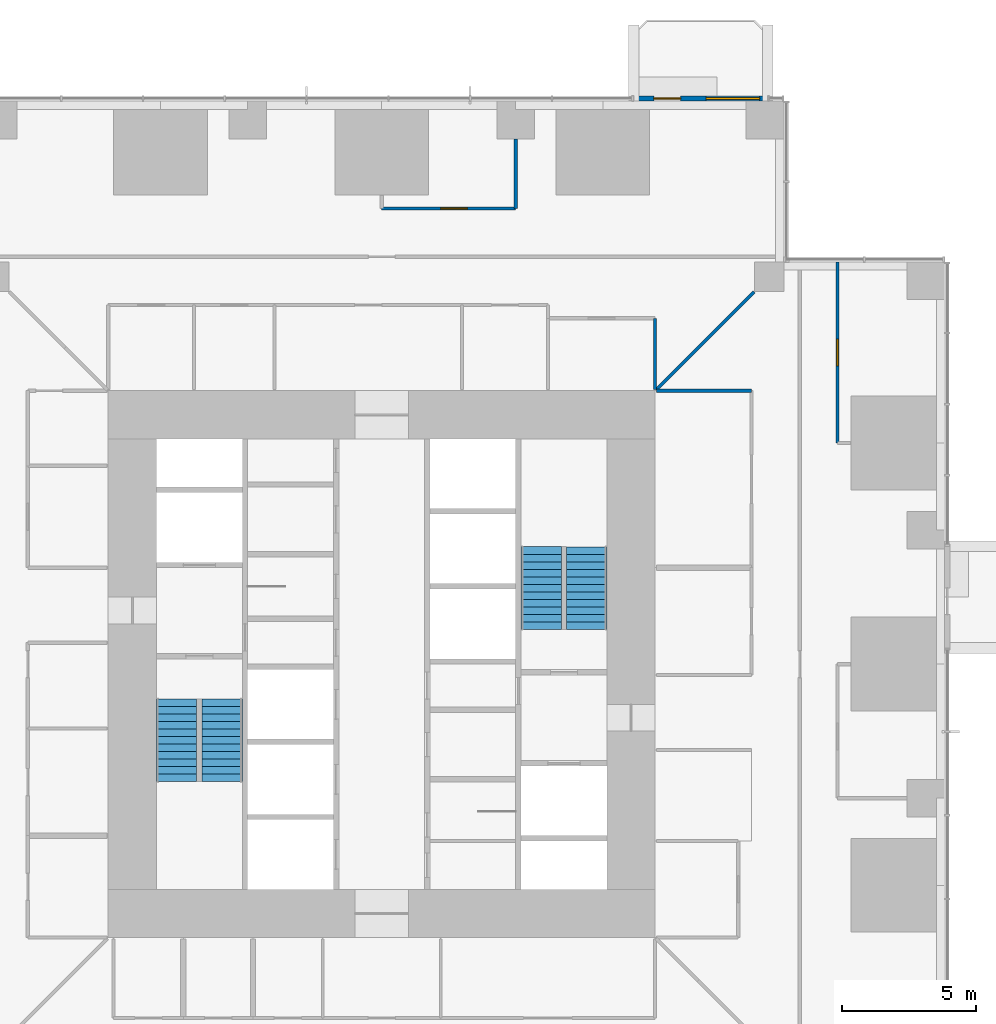
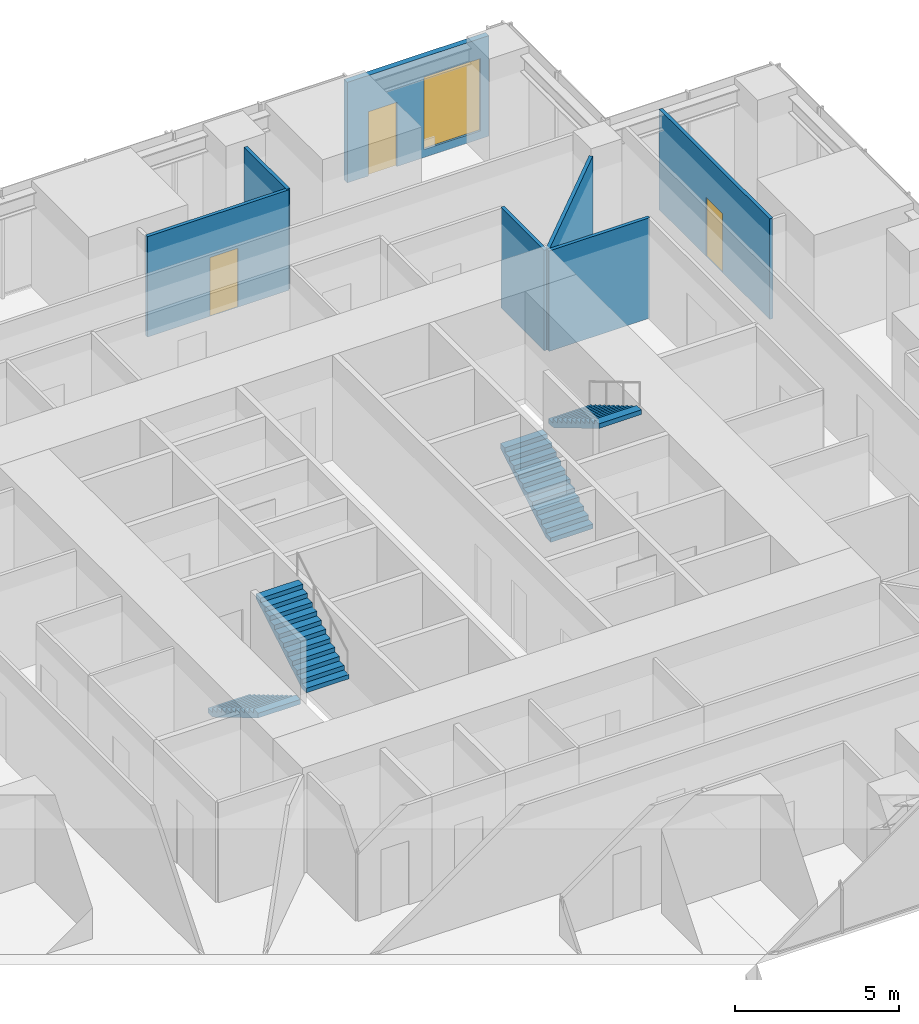
# One storey, part 14 of 17: 7 walls, 4 stair flights, 3 doors, 1 window, 4 openings, 2 elements without a shape of their own.
"""IFC4 building model written with IfcOpenShell, lengths in metres."""

from ifc_helpers import new_model, si_unit, direction, frame, frame_2d, origin, place, context, subcontext, project, spatial, polyline, rectangle, outline, extrude, material, layer, layer_set, type_object, element, fill, aggregate, save


model = new_model("IFC4")

# Units and contexts
model_context = context("Model", 3, precision=1e-05, world=origin(), true_north=direction((0.0, 1.0)))
body_context = subcontext(model_context, "Body", "Model", "MODEL_VIEW")
ifc_project = project(units=[si_unit("LENGTHUNIT", "METRE"), si_unit("AREAUNIT", "SQUARE_METRE"), si_unit("VOLUMEUNIT", "CUBIC_METRE"), si_unit("PLANEANGLEUNIT", "RADIAN"), si_unit("MASSUNIT", "GRAM", prefix="KILO")], contexts=[model_context])

# Site, building, storey
site_placement = place(None, origin())
site = spatial("IfcSite", under=ifc_project, at=site_placement, CompositionType="ELEMENT")
building_placement = place(site_placement, origin())
building = spatial("IfcBuilding", under=site, at=building_placement, Name="Svetlomir Tower", CompositionType="ELEMENT")
storey_placement = place(building_placement, frame((0.0, 0.0, 62.5)))
storey = spatial("IfcBuildingStorey", under=building, at=storey_placement, Name="L14", CompositionType="ELEMENT", Elevation=62.5)

# Wall, openings, door, window
ifc_material_1 = material(Name="Bronze anodised aluminium glazed screen", Category="aluminium")
ifc_layer_1 = layer(ifc_material_1, 0.199951171875)
ifc_layer_set_1 = layer_set([ifc_layer_1], Name="Bronze anodised aluminium glazed screen")
wall_type_1 = type_object("IfcWallType", Name="BALCONY SCREEN WALL 200", PredefinedType="USERDEFINED", material=ifc_layer_set_1)
wall_1_placement = place(storey_placement, frame((35.39990234375, 42.10009765625, 0.0), z_axis=(0.0, 0.0, 1.0), x_axis=(-1.0, 0.0, 0.0)))
wall_1 = element("IfcWall", 1, at=wall_1_placement, inside=storey, type_object=wall_type_1, Name="Balcony screen N", ObjectType="GLAZED SCREEN", PredefinedType="USERDEFINED", context=body_context, shape_type="SweptSolid", body=[
    extrude(rectangle(XDim=5.0, YDim=0.199951171875, at=frame_2d((2.5, 0.0))), origin(), (0.0, 0.0, 1.0), 3.75),
])
opening_1_placement = place(wall_1_placement, frame((3.25, 0.0, 0.0)))
opening_1 = element("IfcOpeningElement", 2, at=opening_1_placement, cuts=wall_1, Name="Opening BD", PredefinedType="OPENING", context=body_context, shape_type="SweptSolid", body=[
    extrude(rectangle(XDim=1.0, YDim=2.39990234375, at=frame_2d((0.5, 1.199951171875))), frame((0.0, 0.10986328125, 0.0), z_axis=(0.0, -1.0, 0.0), x_axis=(1.0, 0.0, 0.0)), (0.0, 0.0, 1.0), 0.219970703125),
])
opening_2_placement = place(wall_1_placement, frame((0.300048828125, 0.0, 0.300048828125)))
opening_2 = element("IfcOpeningElement", 3, at=opening_2_placement, cuts=wall_1, Name="Opening WS", PredefinedType="OPENING", context=body_context, shape_type="SweptSolid", body=[
    extrude(rectangle(XDim=2.0, YDim=2.699951171875, at=frame_2d((1.0, 1.35009765625))), frame((0.0, 0.10986328125, 0.0), z_axis=(0.0, -1.0, 0.0), x_axis=(1.0, 0.0, 0.0)), (0.0, 0.0, 1.0), 0.219970703125),
])
ifc_material_2 = material(Name="Bronze anodised aluminium glazed door", Category="aluminium")
door_type_1 = type_object("IfcDoorType", Name="BALCONY DOOR BD 1000x2400", OperationType="SINGLE_SWING_LEFT", PredefinedType="DOOR", material=ifc_material_2)
door_1_placement = place(opening_1_placement, origin())
door_1 = element("IfcDoor", 4, at=door_1_placement, inside=storey, type_object=door_type_1, Name="Balcony screen N door", OperationType="SINGLE_SWING_LEFT", OverallHeight=2.39990234375, OverallWidth=1.0, PredefinedType="DOOR", context=body_context, shape_type="SweptSolid", body=[
    extrude(rectangle(XDim=1.0, YDim=2.39990234375, at=frame_2d((0.5, 1.199951171875))), frame((0.0, 0.02490234375, 0.0), z_axis=(0.0, -1.0, 0.0), x_axis=(1.0, 0.0, 0.0)), (0.0, 0.0, 1.0), 0.050048828125),
])
fill(opening_1, door_1)
ifc_material_3 = material(Name="Bronze anodised aluminium window", Category="aluminium")
window_type = type_object("IfcWindowType", Name="SCREEN WINDOW WS 2000x2700", PartitioningType="SINGLE_PANEL", PredefinedType="WINDOW", material=ifc_material_3)
window_placement = place(opening_2_placement, origin())
window = element("IfcWindow", 5, at=window_placement, inside=storey, type_object=window_type, Name="Balcony screen N window 1", OverallHeight=2.699951171875, OverallWidth=2.0, PartitioningType="SINGLE_PANEL", PredefinedType="WINDOW", context=body_context, shape_type="SweptSolid", body=[
    extrude(rectangle(XDim=2.0, YDim=2.699951171875, at=frame_2d((1.0, 1.35009765625))), frame((0.0, 0.030029296875, 0.0), z_axis=(0.0, -1.0, 0.0), x_axis=(1.0, 0.0, 0.0)), (0.0, 0.0, 1.0), 0.06005859375),
])
fill(opening_2, window)

# Wall, opening, door
ifc_material_4 = material(Name="Gypsum board on steel studs", Category="steel")
ifc_layer_2 = layer(ifc_material_4, 0.1201171875)
ifc_layer_set_2 = layer_set([ifc_layer_2], Name="Gypsum board on steel studs")
wall_type_2 = type_object("IfcWallType", Name="PARTITION 120", PredefinedType="PARTITIONING", material=ifc_layer_set_2)
wall_2_placement = place(storey_placement, frame((21.0, 38.0, 0.0), z_axis=(0.0, 0.0, 1.0), x_axis=(1.0, 0.0, 0.0)))
wall_2 = element("IfcWall", 6, at=wall_2_placement, inside=storey, type_object=wall_type_2, Name="Partition L14", PredefinedType="PARTITIONING", context=body_context, shape_type="SweptSolid", body=[
    extrude(rectangle(XDim=5.0, YDim=0.1201171875, at=frame_2d((2.5, 0.0))), origin(), (0.0, 0.0, 1.0), 3.75),
])
opening_3_placement = place(wall_2_placement, frame((2.199951171875, 0.0, 0.0)))
opening_3 = element("IfcOpeningElement", 7, at=opening_3_placement, cuts=wall_2, Name="Opening DR", PredefinedType="OPENING", context=body_context, shape_type="SweptSolid", body=[
    extrude(rectangle(XDim=1.0, YDim=2.199951171875, at=frame_2d((0.5, 1.10009765625))), frame((0.0, 0.070068359375, 0.0), z_axis=(0.0, -1.0, 0.0), x_axis=(1.0, 0.0, 0.0)), (0.0, 0.0, 1.0), 0.14013671875),
])
ifc_material_5 = material(Name="Timber door, glazed side light", Category="wood")
door_type_2 = type_object("IfcDoorType", Name="DOOR DR 1000x2200", OperationType="SINGLE_SWING_LEFT", PredefinedType="DOOR", material=ifc_material_5)
door_2_placement = place(opening_3_placement, origin())
door_2 = element("IfcDoor", 8, at=door_2_placement, inside=storey, type_object=door_type_2, Name="Learning partner office door L14", OperationType="SINGLE_SWING_LEFT", OverallHeight=2.199951171875, OverallWidth=1.0, PredefinedType="DOOR", context=body_context, shape_type="SweptSolid", body=[
    extrude(rectangle(XDim=1.0, YDim=2.199951171875, at=frame_2d((0.5, 1.10009765625))), frame((0.0, 0.02490234375, 0.0), z_axis=(0.0, -1.0, 0.0), x_axis=(1.0, 0.0, 0.0)), (0.0, 0.0, 1.0), 0.050048828125),
])
fill(opening_3, door_2)

# Walls
wall_3_placement = place(storey_placement, frame((26.0, 38.0, 0.0), z_axis=(0.0, 0.0, 1.0), x_axis=(0.0, 1.0, 0.0)))
element("IfcWall", 9, at=wall_3_placement, inside=storey, type_object=wall_type_2, Name="Partition L14", PredefinedType="PARTITIONING", context=body_context, shape_type="SweptSolid", body=[
    extrude(rectangle(XDim=2.590087890625, YDim=0.1201171875, at=frame_2d((1.294921875, 0.0))), origin(), (0.0, 0.0, 1.0), 3.75),
])
wall_4_placement = place(storey_placement, frame((31.199951171875, 31.25, 0.0), z_axis=(0.0, 0.0, 1.0), x_axis=(0.0, 1.0, 0.0)))
element("IfcWall", 10, at=wall_4_placement, inside=storey, type_object=wall_type_2, Name="Partition L14", PredefinedType="PARTITIONING", context=body_context, shape_type="SweptSolid", body=[
    extrude(rectangle(XDim=2.64990234375, YDim=0.1201171875, at=frame_2d((1.324951171875, 0.0))), origin(), (0.0, 0.0, 1.0), 3.75),
])
wall_5_placement = place(storey_placement, frame((31.2353515625, 31.2353515625, 0.0), z_axis=(0.0, 0.0, 1.0), x_axis=(0.707106781187, 0.707106781187, 0.0)))
element("IfcWall", 11, at=wall_5_placement, inside=storey, type_object=wall_type_2, Name="Partition L14", PredefinedType="PARTITIONING", context=body_context, shape_type="SweptSolid", body=[
    extrude(rectangle(XDim=5.168212890625, YDim=0.1201171875, at=frame_2d((2.583984375, 0.0))), origin(), (0.0, 0.0, 1.0), 3.75),
])
wall_6_placement = place(storey_placement, frame((31.25, 31.199951171875, 0.0), z_axis=(0.0, 0.0, 1.0), x_axis=(1.0, 0.0, 0.0)))
element("IfcWall", 12, at=wall_6_placement, inside=storey, type_object=wall_type_2, Name="Partition L14", PredefinedType="PARTITIONING", context=body_context, shape_type="SweptSolid", body=[
    extrude(rectangle(XDim=3.550048828125, YDim=0.1201171875, at=frame_2d((1.77490234375, 0.0))), origin(), (0.0, 0.0, 1.0), 3.75),
])

# Wall, opening, door
wall_7_placement = place(storey_placement, frame((38.0, 29.25, 0.0), z_axis=(0.0, 0.0, 1.0), x_axis=(0.0, 1.0, 0.0)))
wall_7 = element("IfcWall", 13, at=wall_7_placement, inside=storey, type_object=wall_type_2, Name="Partition L14", PredefinedType="PARTITIONING", context=body_context, shape_type="SweptSolid", body=[
    extrude(rectangle(XDim=6.75, YDim=0.1201171875, at=frame_2d((3.375, 0.0))), origin(), (0.0, 0.0, 1.0), 3.75),
])
opening_4_placement = place(wall_7_placement, frame((2.875, 0.0, 0.0)))
opening_4 = element("IfcOpeningElement", 14, at=opening_4_placement, cuts=wall_7, Name="Opening DR", PredefinedType="OPENING", context=body_context, shape_type="SweptSolid", body=[
    extrude(rectangle(XDim=1.0, YDim=2.199951171875, at=frame_2d((0.5, 1.10009765625))), frame((0.0, 0.070068359375, 0.0), z_axis=(0.0, -1.0, 0.0), x_axis=(1.0, 0.0, 0.0)), (0.0, 0.0, 1.0), 0.14013671875),
])
door_3_placement = place(opening_4_placement, origin())
door_3 = element("IfcDoor", 15, at=door_3_placement, inside=storey, type_object=door_type_2, Name="HR director office door L14", OperationType="SINGLE_SWING_LEFT", OverallHeight=2.199951171875, OverallWidth=1.0, PredefinedType="DOOR", context=body_context, shape_type="SweptSolid", body=[
    extrude(rectangle(XDim=1.0, YDim=2.199951171875, at=frame_2d((0.5, 1.10009765625))), frame((0.0, 0.02490234375, 0.0), z_axis=(0.0, -1.0, 0.0), x_axis=(1.0, 0.0, 0.0)), (0.0, 0.0, 1.0), 0.050048828125),
])
fill(opening_4, door_3)

# Stair, stair flights
ifc_material_6 = material(Name="Concrete C60/75", Category="concrete")
stair_type = type_object("IfcStairType", Name="EXIT STAIR 3200 RISE 4000", PredefinedType="HALF_TURN_STAIR", material=ifc_material_6)
stair_1_placement = place(storey_placement, origin())
stair_1 = element("IfcStair", 16, at=stair_1_placement, inside=storey, type_object=stair_type, Name="Stair S1 L14 to L15", PredefinedType="HALF_TURN_STAIR")
ifc_material_7 = material(Name="Concrete C60/75", Category="concrete")
stair_flight_type = type_object("IfcStairFlightType", Name="STAIR FLIGHT 1500 OF 12 RISERS", PredefinedType="STRAIGHT", material=ifc_material_7)
stair_flight_1_placement = place(storey_placement, frame((13.35009765625, 19.699951171875, 0.0), z_axis=(0.0, 0.0, 1.0), x_axis=(0.0, -1.0, 0.0)))
stair_flight_1 = element("IfcStairFlight", 17, at=stair_flight_1_placement, type_object=stair_flight_type, Name="S1 flight 1", NumberOfRisers=12, NumberOfTreads=11, PredefinedType="STRAIGHT", RiserHeight=0.166666667, TreadLength=0.28, context=body_context, shape_type="SweptSolid", body=[
    extrude(outline(polyline([(0.0, 0.0), (0.0, 0.166748046875), (0.280029296875, 0.166748046875), (0.280029296875, 0.333251953125), (0.56005859375, 0.333251953125), (0.56005859375, 0.5), (0.840087890625, 0.5), (0.840087890625, 0.666748046875), (1.1201171875, 0.666748046875), (1.1201171875, 0.833251953125), (1.39990234375, 0.833251953125), (1.39990234375, 1.0), (1.679931640625, 1.0), (1.679931640625, 1.166748046875), (1.9599609375, 1.166748046875), (1.9599609375, 1.333251953125), (2.239990234375, 1.333251953125), (2.239990234375, 1.5), (2.52001953125, 1.5), (2.52001953125, 1.666748046875), (2.800048828125, 1.666748046875), (2.800048828125, 1.833251953125), (3.080078125, 1.833251953125), (3.080078125, 2.0), (3.080078125, 1.658935546875), (0.29296875, 0.0), (0.0, 0.0)])), frame((0.0, 0.75, 0.0), z_axis=(0.0, -1.0, 0.0), x_axis=(1.0, 0.0, 0.0)), (0.0, 0.0, 1.0), 1.5),
])
stair_flight_2_placement = place(storey_placement, frame((15.050048828125, 16.6201171875, 2.0), z_axis=(0.0, 0.0, 1.0), x_axis=(0.0, 1.0, 0.0)))
stair_flight_2 = element("IfcStairFlight", 18, at=stair_flight_2_placement, type_object=stair_flight_type, Name="S1 flight 2", NumberOfRisers=12, NumberOfTreads=11, PredefinedType="STRAIGHT", RiserHeight=0.166666667, TreadLength=0.28, context=body_context, shape_type="SweptSolid", body=[
    extrude(outline(polyline([(0.0, 0.0), (0.0, 0.166748046875), (0.280029296875, 0.166748046875), (0.280029296875, 0.333251953125), (0.56005859375, 0.333251953125), (0.56005859375, 0.5), (0.840087890625, 0.5), (0.840087890625, 0.666748046875), (1.1201171875, 0.666748046875), (1.1201171875, 0.833251953125), (1.39990234375, 0.833251953125), (1.39990234375, 1.0), (1.679931640625, 1.0), (1.679931640625, 1.166748046875), (1.9599609375, 1.166748046875), (1.9599609375, 1.333251953125), (2.239990234375, 1.333251953125), (2.239990234375, 1.5), (2.52001953125, 1.5), (2.52001953125, 1.666748046875), (2.800048828125, 1.666748046875), (2.800048828125, 1.833251953125), (3.080078125, 1.833251953125), (3.080078125, 2.0), (3.080078125, 1.658935546875), (0.29296875, 0.0), (0.0, 0.0)])), frame((0.0, 0.75, 0.0), z_axis=(0.0, -1.0, 0.0), x_axis=(1.0, 0.0, 0.0)), (0.0, 0.0, 1.0), 1.5),
])
aggregate(stair_1, [stair_flight_1, stair_flight_2])

stair_2_placement = place(storey_placement, origin())
stair_2 = element("IfcStair", 19, at=stair_2_placement, inside=storey, type_object=stair_type, Name="Stair S2 L14 to L15", PredefinedType="HALF_TURN_STAIR")
stair_flight_3_placement = place(storey_placement, frame((26.949951171875, 22.300048828125, 0.0), z_axis=(0.0, 0.0, 1.0), x_axis=(0.0, 1.0, 0.0)))
stair_flight_3 = element("IfcStairFlight", 20, at=stair_flight_3_placement, type_object=stair_flight_type, Name="S2 flight 1", NumberOfRisers=12, NumberOfTreads=11, PredefinedType="STRAIGHT", RiserHeight=0.166666667, TreadLength=0.28, context=body_context, shape_type="SweptSolid", body=[
    extrude(outline(polyline([(0.0, 0.0), (0.0, 0.166748046875), (0.280029296875, 0.166748046875), (0.280029296875, 0.333251953125), (0.56005859375, 0.333251953125), (0.56005859375, 0.5), (0.840087890625, 0.5), (0.840087890625, 0.666748046875), (1.1201171875, 0.666748046875), (1.1201171875, 0.833251953125), (1.39990234375, 0.833251953125), (1.39990234375, 1.0), (1.679931640625, 1.0), (1.679931640625, 1.166748046875), (1.9599609375, 1.166748046875), (1.9599609375, 1.333251953125), (2.239990234375, 1.333251953125), (2.239990234375, 1.5), (2.52001953125, 1.5), (2.52001953125, 1.666748046875), (2.800048828125, 1.666748046875), (2.800048828125, 1.833251953125), (3.080078125, 1.833251953125), (3.080078125, 2.0), (3.080078125, 1.658935546875), (0.29296875, 0.0), (0.0, 0.0)])), frame((0.0, 0.75, 0.0), z_axis=(0.0, -1.0, 0.0), x_axis=(1.0, 0.0, 0.0)), (0.0, 0.0, 1.0), 1.5),
])
stair_flight_4_placement = place(storey_placement, frame((28.64990234375, 25.3798828125, 2.0), z_axis=(0.0, 0.0, 1.0), x_axis=(0.0, -1.0, 0.0)))
stair_flight_4 = element("IfcStairFlight", 21, at=stair_flight_4_placement, type_object=stair_flight_type, Name="S2 flight 2", NumberOfRisers=12, NumberOfTreads=11, PredefinedType="STRAIGHT", RiserHeight=0.166666667, TreadLength=0.28, context=body_context, shape_type="SweptSolid", body=[
    extrude(outline(polyline([(0.0, 0.0), (0.0, 0.166748046875), (0.280029296875, 0.166748046875), (0.280029296875, 0.333251953125), (0.56005859375, 0.333251953125), (0.56005859375, 0.5), (0.840087890625, 0.5), (0.840087890625, 0.666748046875), (1.1201171875, 0.666748046875), (1.1201171875, 0.833251953125), (1.39990234375, 0.833251953125), (1.39990234375, 1.0), (1.679931640625, 1.0), (1.679931640625, 1.166748046875), (1.9599609375, 1.166748046875), (1.9599609375, 1.333251953125), (2.239990234375, 1.333251953125), (2.239990234375, 1.5), (2.52001953125, 1.5), (2.52001953125, 1.666748046875), (2.800048828125, 1.666748046875), (2.800048828125, 1.833251953125), (3.080078125, 1.833251953125), (3.080078125, 2.0), (3.080078125, 1.658935546875), (0.29296875, 0.0), (0.0, 0.0)])), frame((0.0, 0.75, 0.0), z_axis=(0.0, -1.0, 0.0), x_axis=(1.0, 0.0, 0.0)), (0.0, 0.0, 1.0), 1.5),
])
aggregate(stair_2, [stair_flight_3, stair_flight_4])

save(model, "model.ifc")
